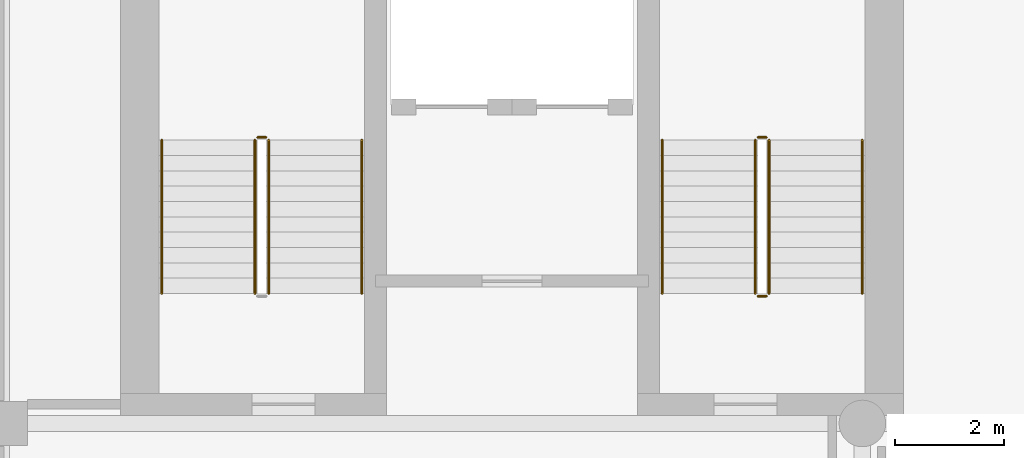
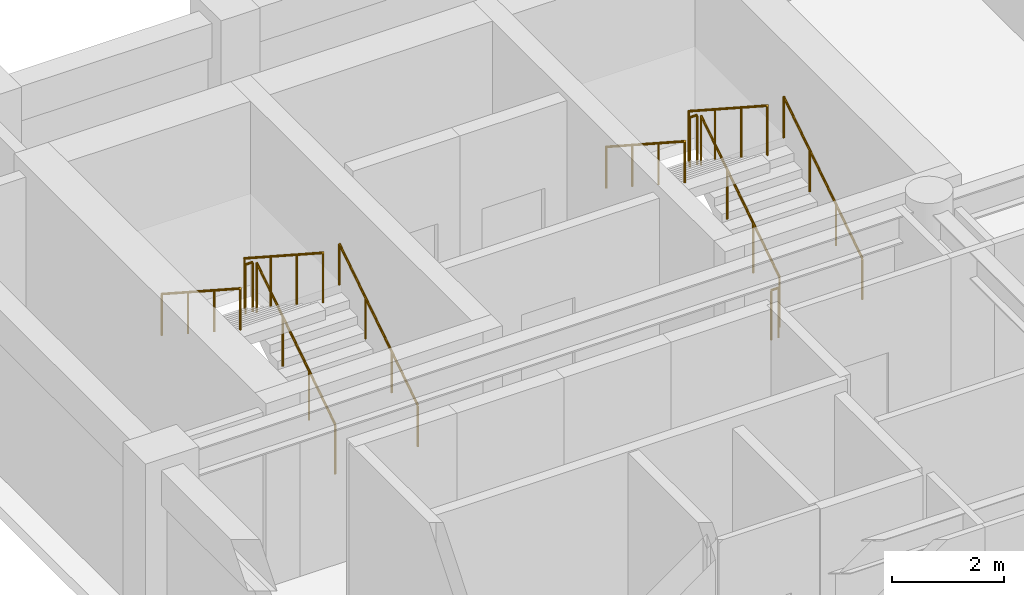
# One storey, part 12 of 13: 11 railings.
"""IFC4 building model written with IfcOpenShell, lengths in metres."""

from ifc_helpers import new_model, si_unit, direction, frame, origin, origin_2d, place, context, subcontext, project, spatial, circle, extrude, material, type_object, element, save


model = new_model("IFC4")

# Units and contexts
model_context = context("Model", 3, precision=1e-05, world=origin(), true_north=direction((0.0, 1.0)))
body_context = subcontext(model_context, "Body", "Model", "MODEL_VIEW")
ifc_project = project(units=[si_unit("LENGTHUNIT", "METRE"), si_unit("AREAUNIT", "SQUARE_METRE"), si_unit("VOLUMEUNIT", "CUBIC_METRE"), si_unit("PLANEANGLEUNIT", "RADIAN"), si_unit("MASSUNIT", "GRAM", prefix="KILO")], contexts=[model_context])

# Site, building, storey
site_placement = place(None, origin())
site = spatial("IfcSite", under=ifc_project, at=site_placement, CompositionType="ELEMENT")
building_placement = place(site_placement, origin())
building = spatial("IfcBuilding", under=site, at=building_placement, Name="Sulina Concourse Tower", CompositionType="ELEMENT")
storey_placement = place(building_placement, frame((0.0, 0.0, 202.60009765625)))
storey = spatial("IfcBuildingStorey", under=building, at=storey_placement, Name="L49", CompositionType="ELEMENT", Elevation=202.60009765625)

# Railings
ifc_material_1 = material(Name="Galvanised steel railing", Category="steel")
railing_type_1 = type_object("IfcRailingType", Name="Core Stair Steel Guardrail 1150mm", PredefinedType="GUARDRAIL", material=ifc_material_1)
railing_1_placement = place(storey_placement, frame((5.554931640625, 36.375, 0.181640625)))
element("IfcRailing", 1, at=railing_1_placement, inside=storey, type_object=railing_type_1, Name="L49 ST-1 stair guard 1", PredefinedType="GUARDRAIL", context=body_context, shape_type="SweptSolid", body=[
    extrude(circle(Radius=0.02392578125, at=origin_2d()), frame((0.0, 0.0, 1.076171875), z_axis=(0.0, 0.838672427954, 0.544636170843), x_axis=(-1.0, 0.0, 0.0)), (0.0, 0.0, 1.0), 3.338623046875),
    extrude(circle(Radius=0.02099609375, at=origin_2d()), origin(), (0.0, 0.0, 1.0), 1.052001953125),
    extrude(circle(Radius=0.02099609375, at=origin_2d()), frame((0.0, 0.933349609375, 0.606201171875)), (0.0, 0.0, 1.0), 1.052001953125),
    extrude(circle(Radius=0.02099609375, at=origin_2d()), frame((0.0, 1.86669921875, 1.212158203125)), (0.0, 0.0, 1.0), 1.052001953125),
    extrude(circle(Radius=0.02099609375, at=origin_2d()), frame((0.0, 2.800048828125, 1.818359375)), (0.0, 0.0, 1.0), 1.052001953125),
])
railing_2_placement = place(storey_placement, frame((5.5048828125, 39.22509765625, 2.0)))
element("IfcRailing", 2, at=railing_2_placement, inside=storey, type_object=railing_type_1, Name="L49 ST-1 stair guard 2", PredefinedType="GUARDRAIL", context=body_context, shape_type="SweptSolid", body=[
    extrude(circle(Radius=0.02392578125, at=origin_2d()), frame((0.0, 0.0, 1.076171875), z_axis=(-1.0, 0.0, 0.0), x_axis=(0.0, -1.0, 0.0)), (0.0, 0.0, 1.0), 0.14990234375),
    extrude(circle(Radius=0.02099609375, at=origin_2d()), origin(), (0.0, 0.0, 1.0), 1.052001953125),
    extrude(circle(Radius=0.02099609375, at=origin_2d()), frame((-0.14990234375, 0.0, 0.0)), (0.0, 0.0, 1.0), 1.052001953125),
])
railing_3_placement = place(storey_placement, frame((5.304931640625, 39.175048828125, 2.181640625)))
element("IfcRailing", 3, at=railing_3_placement, inside=storey, type_object=railing_type_1, Name="L49 ST-1 stair guard 3", PredefinedType="GUARDRAIL", context=body_context, shape_type="SweptSolid", body=[
    extrude(circle(Radius=0.02392578125, at=origin_2d()), frame((0.0, 0.0, 1.076171875), z_axis=(0.0, -0.838672427954, 0.544636170843), x_axis=(1.0, 0.0, 0.0)), (0.0, 0.0, 1.0), 3.338623046875),
    extrude(circle(Radius=0.02099609375, at=origin_2d()), origin(), (0.0, 0.0, 1.0), 1.052001953125),
    extrude(circle(Radius=0.02099609375, at=origin_2d()), frame((0.0, -0.933349609375, 0.606201171875)), (0.0, 0.0, 1.0), 1.052001953125),
    extrude(circle(Radius=0.02099609375, at=origin_2d()), frame((0.0, -1.86669921875, 1.212158203125)), (0.0, 0.0, 1.0), 1.052001953125),
    extrude(circle(Radius=0.02099609375, at=origin_2d()), frame((0.0, -2.800048828125, 1.818359375)), (0.0, 0.0, 1.0), 1.052001953125),
])
railing_4_placement = place(storey_placement, frame((14.695068359375, 36.375, 0.181640625)))
element("IfcRailing", 4, at=railing_4_placement, inside=storey, type_object=railing_type_1, Name="L49 ST-2 stair guard 1", PredefinedType="GUARDRAIL", context=body_context, shape_type="SweptSolid", body=[
    extrude(circle(Radius=0.02392578125, at=origin_2d()), frame((0.0, 0.0, 1.076171875), z_axis=(0.0, 0.838672427954, 0.544636170843), x_axis=(-1.0, 0.0, 0.0)), (0.0, 0.0, 1.0), 3.338623046875),
    extrude(circle(Radius=0.02099609375, at=origin_2d()), origin(), (0.0, 0.0, 1.0), 1.052001953125),
    extrude(circle(Radius=0.02099609375, at=origin_2d()), frame((0.0, 0.933349609375, 0.606201171875)), (0.0, 0.0, 1.0), 1.052001953125),
    extrude(circle(Radius=0.02099609375, at=origin_2d()), frame((0.0, 1.86669921875, 1.212158203125)), (0.0, 0.0, 1.0), 1.052001953125),
    extrude(circle(Radius=0.02099609375, at=origin_2d()), frame((0.0, 2.800048828125, 1.818359375)), (0.0, 0.0, 1.0), 1.052001953125),
])
railing_5_placement = place(storey_placement, frame((14.64501953125, 39.22509765625, 2.0)))
element("IfcRailing", 5, at=railing_5_placement, inside=storey, type_object=railing_type_1, Name="L49 ST-2 stair guard 2", PredefinedType="GUARDRAIL", context=body_context, shape_type="SweptSolid", body=[
    extrude(circle(Radius=0.02392578125, at=origin_2d()), frame((0.0, 0.0, 1.076171875), z_axis=(-1.0, 0.0, 0.0), x_axis=(0.0, -1.0, 0.0)), (0.0, 0.0, 1.0), 0.14990234375),
    extrude(circle(Radius=0.02099609375, at=origin_2d()), origin(), (0.0, 0.0, 1.0), 1.052001953125),
    extrude(circle(Radius=0.02099609375, at=origin_2d()), frame((-0.14990234375, 0.0, 0.0)), (0.0, 0.0, 1.0), 1.052001953125),
])
railing_6_placement = place(storey_placement, frame((14.445068359375, 39.175048828125, 2.181640625)))
element("IfcRailing", 6, at=railing_6_placement, inside=storey, type_object=railing_type_1, Name="L49 ST-2 stair guard 3", PredefinedType="GUARDRAIL", context=body_context, shape_type="SweptSolid", body=[
    extrude(circle(Radius=0.02392578125, at=origin_2d()), frame((0.0, 0.0, 1.076171875), z_axis=(0.0, -0.838672427954, 0.544636170843), x_axis=(1.0, 0.0, 0.0)), (0.0, 0.0, 1.0), 3.338623046875),
    extrude(circle(Radius=0.02099609375, at=origin_2d()), origin(), (0.0, 0.0, 1.0), 1.052001953125),
    extrude(circle(Radius=0.02099609375, at=origin_2d()), frame((0.0, -0.933349609375, 0.606201171875)), (0.0, 0.0, 1.0), 1.052001953125),
    extrude(circle(Radius=0.02099609375, at=origin_2d()), frame((0.0, -1.86669921875, 1.212158203125)), (0.0, 0.0, 1.0), 1.052001953125),
    extrude(circle(Radius=0.02099609375, at=origin_2d()), frame((0.0, -2.800048828125, 1.818359375)), (0.0, 0.0, 1.0), 1.052001953125),
])
railing_7_placement = place(storey_placement, frame((14.64501953125, 36.324951171875, 0.0)))
element("IfcRailing", 7, at=railing_7_placement, inside=storey, type_object=railing_type_1, Name="L49 ST-2 stair guard 4", PredefinedType="GUARDRAIL", context=body_context, shape_type="SweptSolid", body=[
    extrude(circle(Radius=0.02392578125, at=origin_2d()), frame((0.0, 0.0, 1.076171875), z_axis=(-1.0, 0.0, 0.0), x_axis=(0.0, -1.0, 0.0)), (0.0, 0.0, 1.0), 0.14990234375),
    extrude(circle(Radius=0.02099609375, at=origin_2d()), origin(), (0.0, 0.0, 1.0), 1.052001953125),
    extrude(circle(Radius=0.02099609375, at=origin_2d()), frame((-0.14990234375, 0.0, 0.0)), (0.0, 0.0, 1.0), 1.052001953125),
])
ifc_material_2 = material(Name="Galvanised steel railing", Category="steel")
railing_type_2 = type_object("IfcRailingType", Name="Stair Wall Steel Handrail 920mm", PredefinedType="HANDRAIL", material=ifc_material_2)
railing_8_placement = place(storey_placement, frame((7.2548828125, 36.375, 0.181640625)))
element("IfcRailing", 8, at=railing_8_placement, inside=storey, type_object=railing_type_2, Name="L49 ST-1 stair handrail 1", PredefinedType="HANDRAIL", context=body_context, shape_type="SweptSolid", body=[
    extrude(circle(Radius=0.02392578125, at=origin_2d()), frame((0.0, 0.0, 0.89599609375), z_axis=(0.0, 0.838672427954, 0.544636170843), x_axis=(-1.0, 0.0, 0.0)), (0.0, 0.0, 1.0), 3.338623046875),
    extrude(circle(Radius=0.02099609375, at=origin_2d()), origin(), (0.0, 0.0, 1.0), 0.871826171875),
    extrude(circle(Radius=0.02099609375, at=origin_2d()), frame((0.0, 0.933349609375, 0.606201171875)), (0.0, 0.0, 1.0), 0.871826171875),
    extrude(circle(Radius=0.02099609375, at=origin_2d()), frame((0.0, 1.86669921875, 1.212158203125)), (0.0, 0.0, 1.0), 0.871826171875),
    extrude(circle(Radius=0.02099609375, at=origin_2d()), frame((0.0, 2.800048828125, 1.818359375)), (0.0, 0.0, 1.0), 0.871826171875),
])
railing_9_placement = place(storey_placement, frame((3.60498046875, 39.175048828125, 2.181640625)))
element("IfcRailing", 9, at=railing_9_placement, inside=storey, type_object=railing_type_2, Name="L49 ST-1 stair handrail 2", PredefinedType="HANDRAIL", context=body_context, shape_type="SweptSolid", body=[
    extrude(circle(Radius=0.02392578125, at=origin_2d()), frame((0.0, 0.0, 0.89599609375), z_axis=(0.0, -0.838672427954, 0.544636170843), x_axis=(1.0, 0.0, 0.0)), (0.0, 0.0, 1.0), 3.338623046875),
    extrude(circle(Radius=0.02099609375, at=origin_2d()), origin(), (0.0, 0.0, 1.0), 0.871826171875),
    extrude(circle(Radius=0.02099609375, at=origin_2d()), frame((0.0, -0.933349609375, 0.606201171875)), (0.0, 0.0, 1.0), 0.871826171875),
    extrude(circle(Radius=0.02099609375, at=origin_2d()), frame((0.0, -1.86669921875, 1.212158203125)), (0.0, 0.0, 1.0), 0.871826171875),
    extrude(circle(Radius=0.02099609375, at=origin_2d()), frame((0.0, -2.800048828125, 1.818359375)), (0.0, 0.0, 1.0), 0.871826171875),
])
railing_10_placement = place(storey_placement, frame((16.39501953125, 36.375, 0.181640625)))
element("IfcRailing", 10, at=railing_10_placement, inside=storey, type_object=railing_type_2, Name="L49 ST-2 stair handrail 1", PredefinedType="HANDRAIL", context=body_context, shape_type="SweptSolid", body=[
    extrude(circle(Radius=0.02392578125, at=origin_2d()), frame((0.0, 0.0, 0.89599609375), z_axis=(0.0, 0.838672427954, 0.544636170843), x_axis=(-1.0, 0.0, 0.0)), (0.0, 0.0, 1.0), 3.338623046875),
    extrude(circle(Radius=0.02099609375, at=origin_2d()), origin(), (0.0, 0.0, 1.0), 0.871826171875),
    extrude(circle(Radius=0.02099609375, at=origin_2d()), frame((0.0, 0.933349609375, 0.606201171875)), (0.0, 0.0, 1.0), 0.871826171875),
    extrude(circle(Radius=0.02099609375, at=origin_2d()), frame((0.0, 1.86669921875, 1.212158203125)), (0.0, 0.0, 1.0), 0.871826171875),
    extrude(circle(Radius=0.02099609375, at=origin_2d()), frame((0.0, 2.800048828125, 1.818359375)), (0.0, 0.0, 1.0), 0.871826171875),
])
railing_11_placement = place(storey_placement, frame((12.7451171875, 39.175048828125, 2.181640625)))
element("IfcRailing", 11, at=railing_11_placement, inside=storey, type_object=railing_type_2, Name="L49 ST-2 stair handrail 2", PredefinedType="HANDRAIL", context=body_context, shape_type="SweptSolid", body=[
    extrude(circle(Radius=0.02392578125, at=origin_2d()), frame((0.0, 0.0, 0.89599609375), z_axis=(0.0, -0.838672427954, 0.544636170843), x_axis=(1.0, 0.0, 0.0)), (0.0, 0.0, 1.0), 3.338623046875),
    extrude(circle(Radius=0.02099609375, at=origin_2d()), origin(), (0.0, 0.0, 1.0), 0.871826171875),
    extrude(circle(Radius=0.02099609375, at=origin_2d()), frame((0.0, -0.933349609375, 0.606201171875)), (0.0, 0.0, 1.0), 0.871826171875),
    extrude(circle(Radius=0.02099609375, at=origin_2d()), frame((0.0, -1.86669921875, 1.212158203125)), (0.0, 0.0, 1.0), 0.871826171875),
    extrude(circle(Radius=0.02099609375, at=origin_2d()), frame((0.0, -2.800048828125, 1.818359375)), (0.0, 0.0, 1.0), 0.871826171875),
])

save(model, "model.ifc")
